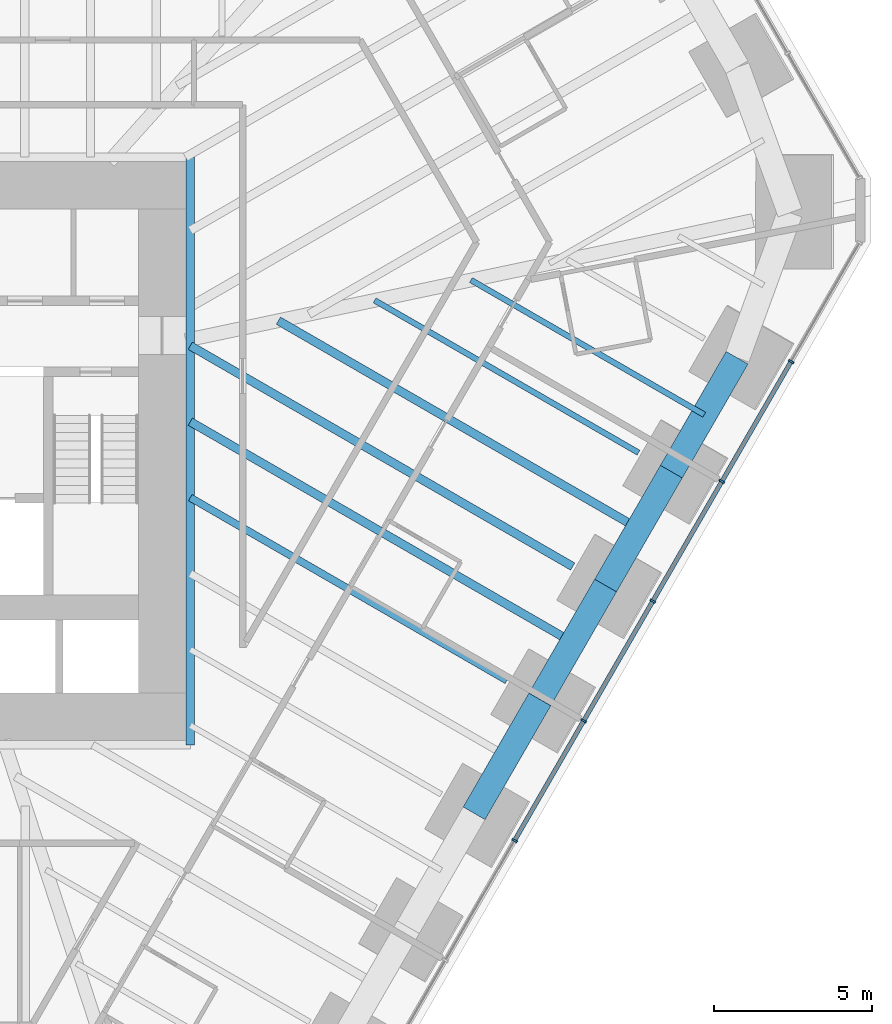
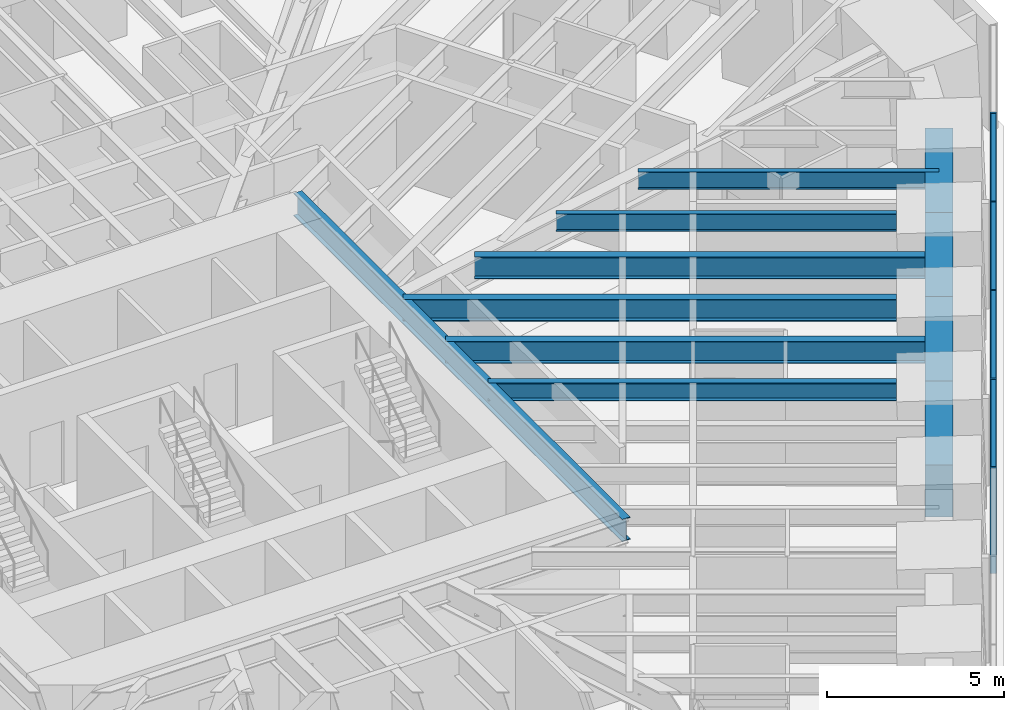
# One storey, part 6 of 17: 11 beams, 9 members, 1 element without a shape of its own.
"""IFC4 building model written with IfcOpenShell, lengths in metres."""

from ifc_helpers import new_model, si_unit, direction, frame, origin, origin_2d, place, context, subcontext, project, spatial, rectangle, i_section, extrude, material, material_profile, profile_set, type_object, element, aggregate, save


model = new_model("IFC4")

# Units and contexts
model_context = context("Model", 3, precision=1e-05, world=origin(), true_north=direction((0.0, 1.0)))
body_context = subcontext(model_context, "Body", "Model", "MODEL_VIEW")
ifc_project = project(units=[si_unit("LENGTHUNIT", "METRE"), si_unit("AREAUNIT", "SQUARE_METRE"), si_unit("VOLUMEUNIT", "CUBIC_METRE"), si_unit("PLANEANGLEUNIT", "RADIAN"), si_unit("MASSUNIT", "GRAM", prefix="KILO")], contexts=[model_context])

# Site, building, storey
site_placement = place(None, origin())
site = spatial("IfcSite", under=ifc_project, at=site_placement, CompositionType="ELEMENT")
building_placement = place(site_placement, origin())
building = spatial("IfcBuilding", under=site, at=building_placement, Name="Sandreach Pilgrim Tower", CompositionType="ELEMENT")
storey_placement = place(building_placement, frame((0.0, 0.0, 61.0)))
storey = spatial("IfcBuildingStorey", under=building, at=storey_placement, Name="L14", CompositionType="ELEMENT", Elevation=61.0)

# Curtain wall, members
ifc_material_1 = material(Name="Aluminium framed curtain wall", Category="aluminium")
curtain_wall_type = type_object("IfcCurtainWallType", Name="Hostel tower curtain wall", PredefinedType="NOTDEFINED", material=ifc_material_1)
curtain_wall_placement = place(storey_placement, origin())
curtain_wall = element("IfcCurtainWall", 1, at=curtain_wall_placement, inside=storey, type_object=curtain_wall_type, Name="CW-1 L14 SE", PredefinedType="NOTDEFINED")
ifc_material_2 = material(Name="Aluminium extrusion", Category="aluminium")
ifc_material_profile_1 = material_profile(ifc_material_2, rectangle(XDim=0.06494140625, YDim=0.179931640625, at=origin_2d()), Name="CW-1M 65X180")
ifc_profile_set_1 = profile_set([ifc_material_profile_1], Name="Aluminium extrusion")
member_type_1 = type_object("IfcMemberType", Name="CW-1 mullion", PredefinedType="MULLION", material=ifc_profile_set_1)
member_1_placement = place(storey_placement, frame((28.390380859375, 1.2763671875, 0.0), z_axis=(0.0, 0.0, 1.0), x_axis=(-0.5, -0.866025403784, 0.0)))
member_1 = element("IfcMember", 2, at=member_1_placement, type_object=member_type_1, Name="CW-1 mullion 2", PredefinedType="MULLION", context=body_context, shape_type="SweptSolid", body=[
    extrude(rectangle(XDim=0.06494140625, YDim=0.179931640625, at=origin_2d()), origin(), (0.0, 0.0, 1.0), 3.639892578125),
])
member_2_placement = place(storey_placement, frame((26.20458984375, -2.509521484375, 0.0), z_axis=(0.0, 0.0, 1.0), x_axis=(-0.5, -0.866025403784, 0.0)))
member_2 = element("IfcMember", 3, at=member_2_placement, type_object=member_type_1, Name="CW-1 mullion 3", PredefinedType="MULLION", context=body_context, shape_type="SweptSolid", body=[
    extrude(rectangle(XDim=0.06494140625, YDim=0.179931640625, at=origin_2d()), origin(), (0.0, 0.0, 1.0), 3.639892578125),
])
member_3_placement = place(storey_placement, frame((24.018798828125, -6.29541015625, 0.0), z_axis=(0.0, 0.0, 1.0), x_axis=(-0.5, -0.866025403784, 0.0)))
member_3 = element("IfcMember", 4, at=member_3_placement, type_object=member_type_1, Name="CW-1 mullion 4", PredefinedType="MULLION", context=body_context, shape_type="SweptSolid", body=[
    extrude(rectangle(XDim=0.06494140625, YDim=0.179931640625, at=origin_2d()), origin(), (0.0, 0.0, 1.0), 3.639892578125),
])
member_4_placement = place(storey_placement, frame((21.8330078125, -10.081298828125, 0.0), z_axis=(0.0, 0.0, 1.0), x_axis=(-0.5, -0.866025403784, 0.0)))
member_4 = element("IfcMember", 5, at=member_4_placement, type_object=member_type_1, Name="CW-1 mullion 5", PredefinedType="MULLION", context=body_context, shape_type="SweptSolid", body=[
    extrude(rectangle(XDim=0.06494140625, YDim=0.179931640625, at=origin_2d()), origin(), (0.0, 0.0, 1.0), 3.639892578125),
])
member_5_placement = place(storey_placement, frame((19.647216796875, -13.8671875, 0.0), z_axis=(0.0, 0.0, 1.0), x_axis=(-0.5, -0.866025403784, 0.0)))
member_5 = element("IfcMember", 6, at=member_5_placement, type_object=member_type_1, Name="CW-1 mullion 6", PredefinedType="MULLION", context=body_context, shape_type="SweptSolid", body=[
    extrude(rectangle(XDim=0.06494140625, YDim=0.179931640625, at=origin_2d()), origin(), (0.0, 0.0, 1.0), 3.639892578125),
])
ifc_material_3 = material(Name="Aluminium extrusion", Category="aluminium")
ifc_material_profile_2 = material_profile(ifc_material_3, rectangle(XDim=0.139892578125, YDim=0.070068359375, at=origin_2d()), Name="CW-1T 140X70")
ifc_profile_set_2 = profile_set([ifc_material_profile_2], Name="Aluminium extrusion")
member_type_2 = type_object("IfcMemberType", Name="CW-1 transom", PredefinedType="USERDEFINED", material=ifc_profile_set_2)
member_6_placement = place(storey_placement, frame((28.374267578125, 1.248046875, 3.60498046875), z_axis=(-0.500016891966, -0.866015650984, 0.0), x_axis=(0.866015650984, -0.500016891966, 0.0)))
member_6 = element("IfcMember", 7, at=member_6_placement, type_object=member_type_2, Name="CW-1 head transom 2", ObjectType="TRANSOM", PredefinedType="USERDEFINED", context=body_context, shape_type="SweptSolid", body=[
    extrude(rectangle(XDim=0.139892578125, YDim=0.070068359375, at=origin_2d()), origin(), (0.0, 0.0, 1.0), 4.306396484375),
])
member_7_placement = place(storey_placement, frame((26.1884765625, -2.537841796875, 3.60498046875), z_axis=(-0.500016891966, -0.866015650984, 0.0), x_axis=(0.866015650984, -0.500016891966, 0.0)))
member_7 = element("IfcMember", 8, at=member_7_placement, type_object=member_type_2, Name="CW-1 head transom 3", ObjectType="TRANSOM", PredefinedType="USERDEFINED", context=body_context, shape_type="SweptSolid", body=[
    extrude(rectangle(XDim=0.139892578125, YDim=0.070068359375, at=origin_2d()), origin(), (0.0, 0.0, 1.0), 4.306396484375),
])
member_8_placement = place(storey_placement, frame((24.002685546875, -6.32373046875, 3.60498046875), z_axis=(-0.500016891966, -0.866015650984, 0.0), x_axis=(0.866015650984, -0.500016891966, 0.0)))
member_8 = element("IfcMember", 9, at=member_8_placement, type_object=member_type_2, Name="CW-1 head transom 4", ObjectType="TRANSOM", PredefinedType="USERDEFINED", context=body_context, shape_type="SweptSolid", body=[
    extrude(rectangle(XDim=0.139892578125, YDim=0.070068359375, at=origin_2d()), origin(), (0.0, 0.0, 1.0), 4.306396484375),
])
member_9_placement = place(storey_placement, frame((21.81689453125, -10.109619140625, 3.60498046875), z_axis=(-0.500016891966, -0.866015650984, 0.0), x_axis=(0.866015650984, -0.500016891966, 0.0)))
member_9 = element("IfcMember", 10, at=member_9_placement, type_object=member_type_2, Name="CW-1 head transom 5", ObjectType="TRANSOM", PredefinedType="USERDEFINED", context=body_context, shape_type="SweptSolid", body=[
    extrude(rectangle(XDim=0.139892578125, YDim=0.070068359375, at=origin_2d()), origin(), (0.0, 0.0, 1.0), 4.306396484375),
])
aggregate(curtain_wall, [member_1, member_2, member_3, member_4, member_5, member_6, member_7, member_8, member_9])

# Beams
ifc_material_4 = material(Name="Steel ASTM A992 Grade 50", Category="steel")
ifc_material_profile_3 = material_profile(ifc_material_4, i_section(OverallWidth=0.2666015625, OverallDepth=0.77978515625, WebThickness=0.0166015625, FlangeThickness=0.030029296875, at=origin_2d()), Name="W30X148")
ifc_profile_set_3 = profile_set([ifc_material_profile_3], Name="Steel ASTM A992 Grade 50")
beam_type_1 = type_object("IfcBeamType", Name="Core edge beam W30X148", PredefinedType="BEAM", material=ifc_profile_set_3)
beam_1_placement = place(storey_placement, frame((9.393310546875, 7.743408203125, 3.25), z_axis=(0.0, -1.0, 0.0), x_axis=(1.0, 0.0, 0.0)))
element("IfcBeam", 11, at=beam_1_placement, inside=storey, type_object=beam_type_1, Name="BM L14 CEE", PredefinedType="BEAM", context=body_context, shape_type="SweptSolid", body=[
    extrude(i_section(OverallWidth=0.2666015625, OverallDepth=0.77978515625, WebThickness=0.0166015625, FlangeThickness=0.030029296875, at=origin_2d()), origin(), (0.0, 0.0, 1.0), 18.586669921875),
])
ifc_material_5 = material(Name="Steel ASTM A992 Grade 50", Category="steel")
ifc_material_profile_4 = material_profile(ifc_material_5, i_section(OverallWidth=0.1787109375, OverallDepth=0.60205078125, WebThickness=0.010986328125, FlangeThickness=0.014892578125, at=origin_2d()), Name="W24X62")
ifc_profile_set_4 = profile_set([ifc_material_profile_4], Name="Steel ASTM A992 Grade 50")
beam_type_2 = type_object("IfcBeamType", Name="Floor beam W24X62", PredefinedType="BEAM", material=ifc_profile_set_4)
beam_2_placement = place(storey_placement, frame((23.565673828125, -1.602294921875, 3.339111328125), z_axis=(-0.86602604797, 0.499998884236, 0.0), x_axis=(-0.499998884236, -0.86602604797, 0.0)))
element("IfcBeam", 12, at=beam_2_placement, inside=storey, type_object=beam_type_2, Name="BM L14 F15", PredefinedType="BEAM", context=body_context, shape_type="SweptSolid", body=[
    extrude(i_section(OverallWidth=0.1787109375, OverallDepth=0.60205078125, WebThickness=0.010986328125, FlangeThickness=0.014892578125, at=origin_2d()), origin(), (0.0, 0.0, 1.0), 9.6328125),
])
beam_3_placement = place(storey_placement, frame((25.644287109375, -0.401611328125, 3.339111328125), z_axis=(-0.866031407177, 0.499989601675, 0.0), x_axis=(-0.499989601675, -0.866031407177, 0.0)))
element("IfcBeam", 13, at=beam_3_placement, inside=storey, type_object=beam_type_2, Name="BM L14 FM14", PredefinedType="BEAM", context=body_context, shape_type="SweptSolid", body=[
    extrude(i_section(OverallWidth=0.1787109375, OverallDepth=0.60205078125, WebThickness=0.010986328125, FlangeThickness=0.014892578125, at=origin_2d()), origin(), (0.0, 0.0, 1.0), 8.517333984375),
])
ifc_material_6 = material(Name="Steel ASTM A992 Grade 50", Category="steel")
ifc_material_profile_5 = material_profile(ifc_material_6, i_section(OverallWidth=0.23046875, OverallDepth=0.6171875, WebThickness=0.01318359375, FlangeThickness=0.022216796875, at=origin_2d()), Name="W24X94")
ifc_profile_set_5 = profile_set([ifc_material_profile_5], Name="Steel ASTM A992 Grade 50")
beam_type_3 = type_object("IfcBeamType", Name="Floor beam W24X94", PredefinedType="BEAM", material=ifc_profile_set_5)
beam_4_placement = place(storey_placement, frame((19.407470703125, -8.80419921875, 3.331298828125), z_axis=(-0.86602314875, 0.500003905814, 0.0), x_axis=(-0.500003905814, -0.86602314875, 0.0)))
element("IfcBeam", 14, at=beam_4_placement, inside=storey, type_object=beam_type_3, Name="BM L14 F17", PredefinedType="BEAM", context=body_context, shape_type="SweptSolid", body=[
    extrude(i_section(OverallWidth=0.23046875, OverallDepth=0.6171875, WebThickness=0.01318359375, FlangeThickness=0.022216796875, at=origin_2d()), origin(), (0.0, 0.0, 1.0), 11.5634765625),
])
ifc_material_7 = material(Name="Steel ASTM A992 Grade 50", Category="steel")
ifc_material_profile_6 = material_profile(ifc_material_7, i_section(OverallWidth=0.2666015625, OverallDepth=0.761962890625, WebThickness=0.014404296875, FlangeThickness=0.021484375, at=origin_2d()), Name="W30X116")
ifc_profile_set_6 = profile_set([ifc_material_profile_6], Name="Steel ASTM A992 Grade 50")
beam_type_4 = type_object("IfcBeamType", Name="Floor beam W30X116", PredefinedType="BEAM", material=ifc_profile_set_6)
beam_5_placement = place(storey_placement, frame((21.486572265625, -5.203125, 3.259033203125), z_axis=(-0.86602894857, 0.499993860201, 0.0), x_axis=(-0.499993860201, -0.86602894857, 0.0)))
element("IfcBeam", 15, at=beam_5_placement, inside=storey, type_object=beam_type_4, Name="BM L14 F16", PredefinedType="BEAM", context=body_context, shape_type="SweptSolid", body=[
    extrude(i_section(OverallWidth=0.2666015625, OverallDepth=0.761962890625, WebThickness=0.014404296875, FlangeThickness=0.021484375, at=origin_2d()), origin(), (0.0, 0.0, 1.0), 13.964111328125),
])
beam_6_placement = place(storey_placement, frame((23.565185546875, -4.002685546875, 3.259033203125), z_axis=(-0.866025719009, 0.499999454014, 0.0), x_axis=(-0.499999454014, -0.866025719009, 0.0)))
element("IfcBeam", 16, at=beam_6_placement, inside=storey, type_object=beam_type_4, Name="BM L14 FM15", PredefinedType="BEAM", context=body_context, shape_type="SweptSolid", body=[
    extrude(i_section(OverallWidth=0.2666015625, OverallDepth=0.761962890625, WebThickness=0.014404296875, FlangeThickness=0.021484375, at=origin_2d()), origin(), (0.0, 0.0, 1.0), 13.14794921875),
])
beam_7_placement = place(storey_placement, frame((21.486328125, -7.603759765625, 3.259033203125), z_axis=(-0.866024577697, 0.500001430823, 0.0), x_axis=(-0.500001430823, -0.866024577697, 0.0)))
element("IfcBeam", 17, at=beam_7_placement, inside=storey, type_object=beam_type_4, Name="BM L14 FM16", PredefinedType="BEAM", context=body_context, shape_type="SweptSolid", body=[
    extrude(i_section(OverallWidth=0.2666015625, OverallDepth=0.761962890625, WebThickness=0.014404296875, FlangeThickness=0.021484375, at=origin_2d()), origin(), (0.0, 0.0, 1.0), 13.9638671875),
])
ifc_material_8 = material(Name="Concrete 10000 psi", Category="concrete")
ifc_material_profile_7 = material_profile(ifc_material_8, rectangle(XDim=0.800048828125, YDim=1.800048828125, at=origin_2d()), Name="RC800X1800")
ifc_profile_set_7 = profile_set([ifc_material_profile_7], Name="Concrete 10000 psi")
beam_type_5 = type_object("IfcBeamType", Name="Spandrel beam RC800X1800", PredefinedType="SPANDREL", material=ifc_profile_set_7)
beam_8_placement = place(storey_placement, frame((26.683837890625, 1.39892578125, 2.739990234375), z_axis=(-0.500003678222, -0.866023280152, 0.0), x_axis=(0.866023280152, -0.500003678222, 0.0)))
element("IfcBeam", 18, at=beam_8_placement, inside=storey, type_object=beam_type_5, Name="BM L14 SP14", PredefinedType="SPANDREL", context=body_context, shape_type="SweptSolid", body=[
    extrude(rectangle(XDim=0.800048828125, YDim=1.800048828125, at=origin_2d()), origin(), (0.0, 0.0, 1.0), 4.158203125),
])
beam_9_placement = place(storey_placement, frame((24.604736328125, -2.2021484375, 2.739990234375), z_axis=(-0.499959641417, -0.86604870357, 0.0), x_axis=(0.86604870357, -0.499959641417, 0.0)))
element("IfcBeam", 19, at=beam_9_placement, inside=storey, type_object=beam_type_5, Name="BM L14 SP15", PredefinedType="SPANDREL", context=body_context, shape_type="SweptSolid", body=[
    extrude(rectangle(XDim=0.800048828125, YDim=1.800048828125, at=origin_2d()), origin(), (0.0, 0.0, 1.0), 4.157958984375),
])
for number, where, z_axis, x_axis, name in (
    (20, (22.52587890625, -5.80322265625, 2.739990234375), (-0.500003678222, -0.866023280152, 0.0), (0.866023280152, -0.500003678222, 0.0), "BM L14 SP16"),
    (21, (20.44677734375, -9.404296875, 2.739990234375), (-0.500003678222, -0.866023280152, 0.0), (0.866023280152, -0.500003678222, 0.0), "BM L14 SP17"),
):
    element("IfcBeam", number, at=place(storey_placement, frame(where, z_axis=z_axis, x_axis=x_axis)), inside=storey, type_object=beam_type_5, Name=name, PredefinedType="SPANDREL", context=body_context, shape_type="SweptSolid", body=[
        extrude(rectangle(XDim=0.800048828125, YDim=1.800048828125, at=origin_2d()), origin(), (0.0, 0.0, 1.0), 4.158203125),
    ])

save(model, "model.ifc")
